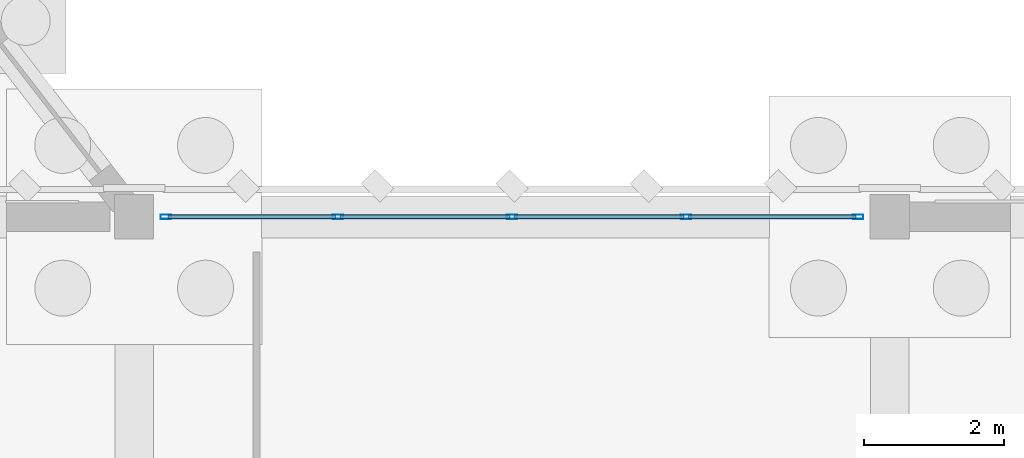
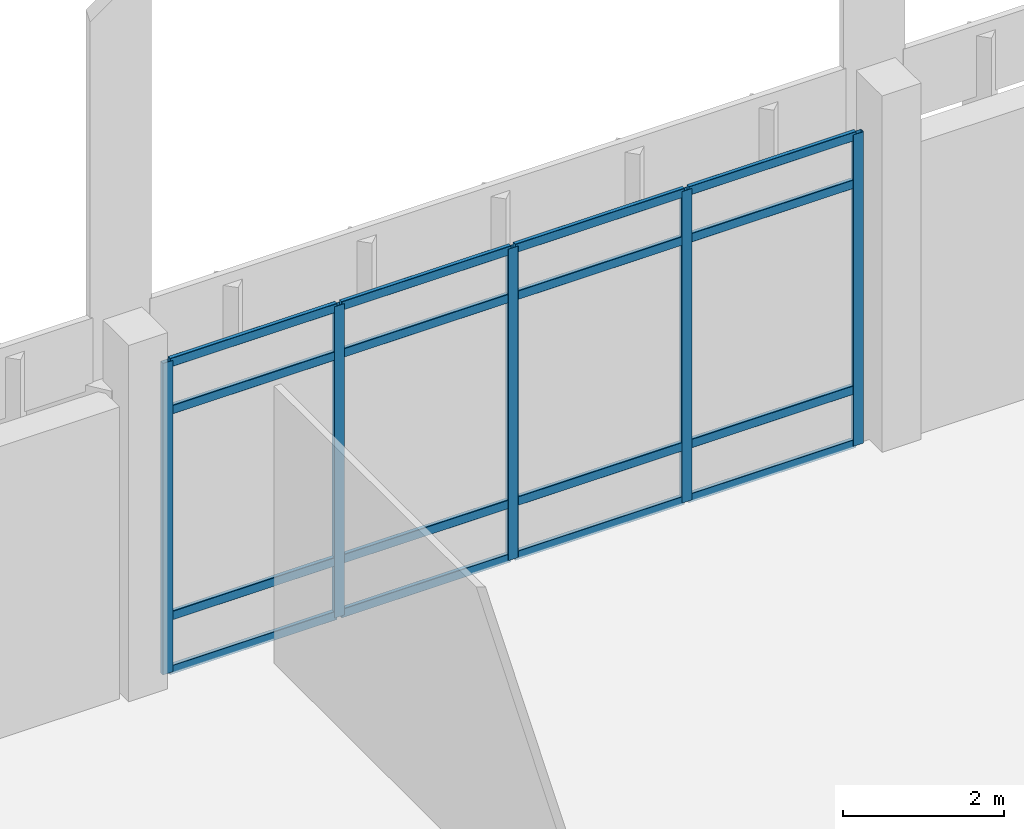
# One storey, part 48 of 109: 21 members, 1 element without a shape of its own.
"""IFC4 building model written with IfcOpenShell, lengths in metres."""

import ifcopenshell
import ifcopenshell.guid

model = None  # the IFC model being written
_history = None  # IfcOwnerHistory: only IFC2X3 demands one
_inside = {}  # id of a spatial element -> (the spatial element, [elements in it])
_under = {}  # id of a project, library or spatial element -> (it, [spatial elements below it])
_declared = {}  # id of a project -> (the project, [libraries it declares])
_typed = {}  # id of a type object -> (the type object, [elements of that type])
_made_of = {}  # id of a material, layer set ... -> (it, [elements and type objects made of it])


def new_model(schema):
    """Start an empty IFC model of exactly this schema.

    Asked for "IFC4X3", IfcOpenShell would pick the latest addendum, in which some entities
    have other attributes; the version numbers below select the first issue.
    IFC2X3 requires an IfcOwnerHistory on every rooted entity: one is made here for all.
    """
    global model, _history
    if schema == "IFC4X3":
        model = ifcopenshell.file(schema_version=(4, 3, 0, 0))
    else:
        model = ifcopenshell.file(schema=schema)
    _inside.clear()
    _under.clear()
    _declared.clear()
    _typed.clear()
    _made_of.clear()
    _history = None
    if model.schema == "IFC2X3":
        org = make("IfcOrganization", Name="unknown")
        user = make(
            "IfcPersonAndOrganization",
            ThePerson=make("IfcPerson", FamilyName="unknown"),
            TheOrganization=org,
        )
        app = make(
            "IfcApplication",
            ApplicationDeveloper=org,
            Version="unknown",
            ApplicationFullName="unknown",
            ApplicationIdentifier="unknown",
        )
        _history = make(
            "IfcOwnerHistory",
            OwningUser=user,
            OwningApplication=app,
            ChangeAction="ADDED",
            CreationDate=0,
        )
    return model


def make(cls, **values):
    """One entity of the class cls with the attributes given. An attribute that is None is left unset."""
    return model.create_entity(
        cls, **{name: value for name, value in values.items() if value is not None}
    )


def rooted(cls, **values):
    """An entity with a GlobalId (a new one), such as an element, a storey or a relation."""
    return make(cls, GlobalId=ifcopenshell.guid.new(), OwnerHistory=_history, **values)


def si_unit(unit_type, name, prefix=None):
    """IfcSIUnit, for example si_unit("LENGTHUNIT", "METRE", prefix="MILLI")."""
    return make("IfcSIUnit", UnitType=unit_type, Prefix=prefix, Name=name)


def assignment(units):
    """IfcUnitAssignment: the units of a project."""
    return None if units is None else make("IfcUnitAssignment", Units=units)


def point(xyz):
    """IfcCartesianPoint."""
    return None if xyz is None else make("IfcCartesianPoint", Coordinates=xyz)


def direction(xyz):
    """IfcDirection."""
    return None if xyz is None else make("IfcDirection", DirectionRatios=xyz)


def frame(location, z_axis=None, x_axis=None):
    """IfcAxis2Placement3D, a coordinate frame: its origin and axes. An axis left out is left unset."""
    return make(
        "IfcAxis2Placement3D",
        Location=point(location),
        Axis=direction(z_axis),
        RefDirection=direction(x_axis),
    )


def frame_2d(location, x_axis=None):
    """IfcAxis2Placement2D, a coordinate frame in the plane: its origin and x axis."""
    return make(
        "IfcAxis2Placement2D", Location=point(location), RefDirection=direction(x_axis)
    )


def origin():
    """The frame at (0, 0, 0) with its axes left unset."""
    return frame((0.0, 0.0, 0.0))


def origin_2d():
    """The frame at (0, 0) in the plane with its x axis left unset."""
    return frame_2d((0.0, 0.0))


def place(relative_to, where):
    """IfcLocalPlacement: puts the frame where relative to a parent placement (None: the world)."""
    return make(
        "IfcLocalPlacement", PlacementRelTo=relative_to, RelativePlacement=where
    )


def context(
    kind, dimensions, precision=None, world=None, true_north=None, identifier=None
):
    """IfcGeometricRepresentationContext, for example the 3D "Model" context."""
    return make(
        "IfcGeometricRepresentationContext",
        ContextIdentifier=identifier,
        ContextType=kind,
        CoordinateSpaceDimension=dimensions,
        Precision=precision,
        WorldCoordinateSystem=world,
        TrueNorth=true_north,
    )


def subcontext(parent, identifier, kind, view, scale=None):
    """IfcGeometricRepresentationSubContext, for example "Body" below "Model"."""
    return make(
        "IfcGeometricRepresentationSubContext",
        ContextIdentifier=identifier,
        ContextType=kind,
        ParentContext=parent,
        TargetScale=scale,
        TargetView=view,
    )


def project(units=None, contexts=None):
    """IfcProject with its units and contexts."""
    return rooted(
        "IfcProject",
        Name="project",
        RepresentationContexts=contexts,
        UnitsInContext=assignment(units),
    )


def spatial(cls, under=None, at=None, **own):
    """A site, building, storey or space (cls), placed at a placement, below another one or the project."""
    s = rooted(cls, ObjectPlacement=at, **own)
    if under is not None:
        _under.setdefault(under.id(), (under, []))[1].append(s)
    return s


def profile(cls, at=None, kind="AREA", **sizes):
    """A parametric profile (cls). Its sizes go by their IFC names, for example OverallWidth=200.0."""
    return make(cls, ProfileType=kind, Position=at, **sizes)


def hollow_rectangle(**sizes):
    """IfcRectangleHollowProfileDef."""
    return profile("IfcRectangleHollowProfileDef", **sizes)


def extrude(swept, where, along, depth):
    """IfcExtrudedAreaSolid: the profile swept, set in the frame where, extruded along a direction by depth."""
    return make(
        "IfcExtrudedAreaSolid",
        SweptArea=swept,
        Position=where,
        ExtrudedDirection=direction(along),
        Depth=depth,
    )


def shape(context_of_items, identifier, shape_type, items):
    """IfcShapeRepresentation: the items that make up one representation, for example the "Body"."""
    return make(
        "IfcShapeRepresentation",
        ContextOfItems=context_of_items,
        RepresentationIdentifier=identifier,
        RepresentationType=shape_type,
        Items=items,
    )


def material(Name=None, Category=None):
    """IfcMaterial."""
    return make("IfcMaterial", Name=Name, Category=Category)


def material_profile(
    of_material, cross_section, Name=None, Category=None, Priority=None
):
    """IfcMaterialProfile: a cross section and its material."""
    return make(
        "IfcMaterialProfile",
        Name=Name,
        Material=of_material,
        Profile=cross_section,
        Priority=Priority,
        Category=Category,
    )


def profile_set(profiles, Name=None, composite=None):
    """IfcMaterialProfileSet."""
    return make(
        "IfcMaterialProfileSet",
        Name=Name,
        MaterialProfiles=profiles,
        CompositeProfile=composite,
    )


def made_of(thing, what):
    """Note that an element or type object is made of a material, layer set ...; save() writes the relation."""
    if what is not None:
        _made_of.setdefault(what.id(), (what, []))[1].append(thing)
    return thing


def type_object(cls, material=None, **own):
    """A type object (cls), such as IfcWallType, which elements share."""
    return made_of(rooted(cls, **own), material)


def element(
    cls,
    number,
    at=None,
    inside=None,
    cuts=None,
    type_object=None,
    material=None,
    context=None,
    identifier="Body",
    shape_type=None,
    held_by="IfcProductDefinitionShape",
    body=None,
    shapes=None,
    **own,
):
    """One element of the class cls, such as IfcWall. Its Tag is "e" and its number.

    at: its placement. inside: the storey or other place that contains it. cuts: it is an
    opening in that element (IfcRelVoidsElement). A single representation is given by context,
    identifier, shape_type and body (its items); several are given by shapes. held_by: the class
    of the entity that holds the representations. save() writes the other relations.
    """
    e = rooted(cls, Tag="e%d" % number, ObjectPlacement=at, **own)
    if body is not None:
        shapes = [shape(context, identifier, shape_type, body)]
    if shapes is not None:
        e.Representation = make(held_by, Representations=shapes)
    if inside is not None:
        _inside.setdefault(inside.id(), (inside, []))[1].append(e)
    if cuts is not None:
        rooted(
            "IfcRelVoidsElement", RelatingBuildingElement=cuts, RelatedOpeningElement=e
        )
    if type_object is not None:
        _typed.setdefault(type_object.id(), (type_object, []))[1].append(e)
    return made_of(e, material)


def aggregate(whole, parts):
    """IfcRelAggregates: a whole, such as a stair, and the parts it consists of."""
    return rooted("IfcRelAggregates", RelatingObject=whole, RelatedObjects=parts)


def save(model, path):
    """Write the relations noted so far, then the file.

    IfcRelAggregates (storeys below a building ...), IfcRelContainedInSpatialStructure (elements
    in a storey), IfcRelDefinesByType, IfcRelAssociatesMaterial and IfcRelDeclares: one each for
    every whole, place, type object, material and project.
    """
    for whole, parts in _under.values():
        aggregate(whole, parts)
    for where, things in _inside.values():
        rooted(
            "IfcRelContainedInSpatialStructure",
            RelatedElements=things,
            RelatingStructure=where,
        )
    for kind, things in _typed.values():
        rooted("IfcRelDefinesByType", RelatedObjects=things, RelatingType=kind)
    for what, things in _made_of.values():
        rooted("IfcRelAssociatesMaterial", RelatedObjects=things, RelatingMaterial=what)
    for by, libraries in _declared.values():
        rooted("IfcRelDeclares", RelatingContext=by, RelatedDefinitions=libraries)
    model.write(path)


model = new_model("IFC4")

# Units and contexts
model_context = context("Model", 3, precision=1e-05, world=origin(), true_north=direction((0.0, 1.0)))
body_context = subcontext(model_context, "Body", "Model", "MODEL_VIEW")
ifc_project = project(units=[si_unit("LENGTHUNIT", "METRE"), si_unit("AREAUNIT", "SQUARE_METRE"), si_unit("VOLUMEUNIT", "CUBIC_METRE"), si_unit("PLANEANGLEUNIT", "RADIAN"), si_unit("MASSUNIT", "GRAM", prefix="KILO")], contexts=[model_context])

# Site, building, storey
site_placement = place(None, origin())
site = spatial("IfcSite", under=ifc_project, at=site_placement, CompositionType="ELEMENT")
building_placement = place(site_placement, origin())
building = spatial("IfcBuilding", under=site, at=building_placement, Name="Lusvemor Sports Hall", CompositionType="ELEMENT")
storey_placement = place(building_placement, origin())
storey = spatial("IfcBuildingStorey", under=building, at=storey_placement, Name="L00", CompositionType="ELEMENT", Elevation=0.0)

# Curtain wall, members
ifc_material_1 = material(Name="Thermally broken bronze-anodized aluminium", Category="aluminium")
curtain_wall_type = type_object("IfcCurtainWallType", Name="CW_WING_B", PredefinedType="NOTDEFINED", material=ifc_material_1)
curtain_wall_placement = place(storey_placement, origin())
curtain_wall = element("IfcCurtainWall", 1, at=curtain_wall_placement, inside=storey, type_object=curtain_wall_type, Name="Curtain Wall CW-L00-N-1-3", PredefinedType="NOTDEFINED")
ifc_material_2 = material(Name="Thermally broken bronze-anodized aluminium", Category="aluminium")
ifc_material_profile_1 = material_profile(ifc_material_2, hollow_rectangle(XDim=0.06494140625, YDim=0.14990234375, WallThickness=0.00390625, InnerFilletRadius=0.00390625, OuterFilletRadius=0.008056640625, at=origin_2d()), Name="CWMUL150x65x4")
ifc_profile_set_1 = profile_set([ifc_material_profile_1], Name="Thermally broken bronze-anodized aluminium")
member_type_1 = type_object("IfcMemberType", Name="CW_MUL_B", PredefinedType="MULLION", material=ifc_profile_set_1)
member_1_placement = place(storey_placement, frame((32.8525390625, 115.199951171875, 0.0), z_axis=(0.0, 0.0, 1.0), x_axis=(0.0, 1.0, 0.0)))
member_1 = element("IfcMember", 2, at=member_1_placement, type_object=member_type_1, Name="CW02 mullion 1", PredefinedType="MULLION", context=body_context, shape_type="SweptSolid", body=[
    extrude(hollow_rectangle(XDim=0.06494140625, YDim=0.14990234375, WallThickness=0.00390625, InnerFilletRadius=0.00390625, OuterFilletRadius=0.008056640625, at=origin_2d()), origin(), (0.0, 0.0, 1.0), 4.719970703125),
])
member_2_placement = place(storey_placement, frame((35.31005859375, 115.199951171875, 0.0), z_axis=(0.0, 0.0, 1.0), x_axis=(0.0, 1.0, 0.0)))
member_2 = element("IfcMember", 3, at=member_2_placement, type_object=member_type_1, Name="CW02 mullion 2", PredefinedType="MULLION", context=body_context, shape_type="SweptSolid", body=[
    extrude(hollow_rectangle(XDim=0.06494140625, YDim=0.14990234375, WallThickness=0.00390625, InnerFilletRadius=0.00390625, OuterFilletRadius=0.008056640625, at=origin_2d()), origin(), (0.0, 0.0, 1.0), 4.719970703125),
])
member_3_placement = place(storey_placement, frame((37.800048828125, 115.199951171875, 0.0), z_axis=(0.0, 0.0, 1.0), x_axis=(0.0, 1.0, 0.0)))
member_3 = element("IfcMember", 4, at=member_3_placement, type_object=member_type_1, Name="CW02 mullion 3", PredefinedType="MULLION", context=body_context, shape_type="SweptSolid", body=[
    extrude(hollow_rectangle(XDim=0.06494140625, YDim=0.14990234375, WallThickness=0.00390625, InnerFilletRadius=0.00390625, OuterFilletRadius=0.008056640625, at=origin_2d()), origin(), (0.0, 0.0, 1.0), 4.719970703125),
])
member_4_placement = place(storey_placement, frame((40.2900390625, 115.199951171875, 0.0), z_axis=(0.0, 0.0, 1.0), x_axis=(0.0, 1.0, 0.0)))
member_4 = element("IfcMember", 5, at=member_4_placement, type_object=member_type_1, Name="CW02 mullion 4", PredefinedType="MULLION", context=body_context, shape_type="SweptSolid", body=[
    extrude(hollow_rectangle(XDim=0.06494140625, YDim=0.14990234375, WallThickness=0.00390625, InnerFilletRadius=0.00390625, OuterFilletRadius=0.008056640625, at=origin_2d()), origin(), (0.0, 0.0, 1.0), 4.719970703125),
])
member_5_placement = place(storey_placement, frame((42.74755859375, 115.199951171875, 0.0), z_axis=(0.0, 0.0, 1.0), x_axis=(0.0, 1.0, 0.0)))
member_5 = element("IfcMember", 6, at=member_5_placement, type_object=member_type_1, Name="CW02 mullion 5", PredefinedType="MULLION", context=body_context, shape_type="SweptSolid", body=[
    extrude(hollow_rectangle(XDim=0.06494140625, YDim=0.14990234375, WallThickness=0.00390625, InnerFilletRadius=0.00390625, OuterFilletRadius=0.008056640625, at=origin_2d()), origin(), (0.0, 0.0, 1.0), 4.719970703125),
])
ifc_material_3 = material(Name="Thermally broken bronze-anodized aluminium", Category="aluminium")
ifc_material_profile_2 = material_profile(ifc_material_3, hollow_rectangle(XDim=0.06005859375, YDim=0.135009765625, WallThickness=0.00390625, InnerFilletRadius=0.00390625, OuterFilletRadius=0.008056640625, at=origin_2d()), Name="CWTRN135x60x4")
ifc_profile_set_2 = profile_set([ifc_material_profile_2], Name="Thermally broken bronze-anodized aluminium")
member_type_2 = type_object("IfcMemberType", Name="CW_TRN_B", PredefinedType="USERDEFINED", material=ifc_profile_set_2)
member_6_placement = place(storey_placement, frame((32.885009765625, 115.199951171875, 0.030029296875), z_axis=(1.0, 0.0, 0.0), x_axis=(0.0, 1.0, 0.0)))
member_6 = element("IfcMember", 7, at=member_6_placement, type_object=member_type_2, Name="CW02 transom 1.1", ObjectType="TRANSOM", PredefinedType="USERDEFINED", context=body_context, shape_type="SweptSolid", body=[
    extrude(hollow_rectangle(XDim=0.06005859375, YDim=0.135009765625, WallThickness=0.00390625, InnerFilletRadius=0.00390625, OuterFilletRadius=0.008056640625, at=origin_2d()), origin(), (0.0, 0.0, 1.0), 2.392578125),
])
member_7_placement = place(storey_placement, frame((32.885009765625, 115.199951171875, 0.85009765625), z_axis=(1.0, 0.0, 0.0), x_axis=(0.0, 1.0, 0.0)))
member_7 = element("IfcMember", 8, at=member_7_placement, type_object=member_type_2, Name="CW02 transom 1.2", ObjectType="TRANSOM", PredefinedType="USERDEFINED", context=body_context, shape_type="SweptSolid", body=[
    extrude(hollow_rectangle(XDim=0.06005859375, YDim=0.135009765625, WallThickness=0.00390625, InnerFilletRadius=0.00390625, OuterFilletRadius=0.008056640625, at=origin_2d()), origin(), (0.0, 0.0, 1.0), 2.392578125),
])
member_8_placement = place(storey_placement, frame((32.885009765625, 115.199951171875, 3.969970703125), z_axis=(1.0, 0.0, 0.0), x_axis=(0.0, 1.0, 0.0)))
member_8 = element("IfcMember", 9, at=member_8_placement, type_object=member_type_2, Name="CW02 transom 1.3", ObjectType="TRANSOM", PredefinedType="USERDEFINED", context=body_context, shape_type="SweptSolid", body=[
    extrude(hollow_rectangle(XDim=0.06005859375, YDim=0.135009765625, WallThickness=0.00390625, InnerFilletRadius=0.00390625, OuterFilletRadius=0.008056640625, at=origin_2d()), origin(), (0.0, 0.0, 1.0), 2.392578125),
])
member_9_placement = place(storey_placement, frame((32.885009765625, 115.199951171875, 4.68994140625), z_axis=(1.0, 0.0, 0.0), x_axis=(0.0, 1.0, 0.0)))
member_9 = element("IfcMember", 10, at=member_9_placement, type_object=member_type_2, Name="CW02 transom 1.4", ObjectType="TRANSOM", PredefinedType="USERDEFINED", context=body_context, shape_type="SweptSolid", body=[
    extrude(hollow_rectangle(XDim=0.06005859375, YDim=0.135009765625, WallThickness=0.00390625, InnerFilletRadius=0.00390625, OuterFilletRadius=0.008056640625, at=origin_2d()), origin(), (0.0, 0.0, 1.0), 2.392578125),
])
member_10_placement = place(storey_placement, frame((35.342529296875, 115.199951171875, 0.030029296875), z_axis=(1.0, 0.0, 0.0), x_axis=(0.0, 1.0, 0.0)))
member_10 = element("IfcMember", 11, at=member_10_placement, type_object=member_type_2, Name="CW02 transom 2.1", ObjectType="TRANSOM", PredefinedType="USERDEFINED", context=body_context, shape_type="SweptSolid", body=[
    extrude(hollow_rectangle(XDim=0.06005859375, YDim=0.135009765625, WallThickness=0.00390625, InnerFilletRadius=0.00390625, OuterFilletRadius=0.008056640625, at=origin_2d()), origin(), (0.0, 0.0, 1.0), 2.425048828125),
])
member_11_placement = place(storey_placement, frame((35.342529296875, 115.199951171875, 0.85009765625), z_axis=(1.0, 0.0, 0.0), x_axis=(0.0, 1.0, 0.0)))
member_11 = element("IfcMember", 12, at=member_11_placement, type_object=member_type_2, Name="CW02 transom 2.2", ObjectType="TRANSOM", PredefinedType="USERDEFINED", context=body_context, shape_type="SweptSolid", body=[
    extrude(hollow_rectangle(XDim=0.06005859375, YDim=0.135009765625, WallThickness=0.00390625, InnerFilletRadius=0.00390625, OuterFilletRadius=0.008056640625, at=origin_2d()), origin(), (0.0, 0.0, 1.0), 2.425048828125),
])
member_12_placement = place(storey_placement, frame((35.342529296875, 115.199951171875, 3.969970703125), z_axis=(1.0, 0.0, 0.0), x_axis=(0.0, 1.0, 0.0)))
member_12 = element("IfcMember", 13, at=member_12_placement, type_object=member_type_2, Name="CW02 transom 2.3", ObjectType="TRANSOM", PredefinedType="USERDEFINED", context=body_context, shape_type="SweptSolid", body=[
    extrude(hollow_rectangle(XDim=0.06005859375, YDim=0.135009765625, WallThickness=0.00390625, InnerFilletRadius=0.00390625, OuterFilletRadius=0.008056640625, at=origin_2d()), origin(), (0.0, 0.0, 1.0), 2.425048828125),
])
member_13_placement = place(storey_placement, frame((35.342529296875, 115.199951171875, 4.68994140625), z_axis=(1.0, 0.0, 0.0), x_axis=(0.0, 1.0, 0.0)))
member_13 = element("IfcMember", 14, at=member_13_placement, type_object=member_type_2, Name="CW02 transom 2.4", ObjectType="TRANSOM", PredefinedType="USERDEFINED", context=body_context, shape_type="SweptSolid", body=[
    extrude(hollow_rectangle(XDim=0.06005859375, YDim=0.135009765625, WallThickness=0.00390625, InnerFilletRadius=0.00390625, OuterFilletRadius=0.008056640625, at=origin_2d()), origin(), (0.0, 0.0, 1.0), 2.425048828125),
])
member_14_placement = place(storey_placement, frame((37.83251953125, 115.199951171875, 0.030029296875), z_axis=(1.0, 0.0, 0.0), x_axis=(0.0, 1.0, 0.0)))
member_14 = element("IfcMember", 15, at=member_14_placement, type_object=member_type_2, Name="CW02 transom 3.1", ObjectType="TRANSOM", PredefinedType="USERDEFINED", context=body_context, shape_type="SweptSolid", body=[
    extrude(hollow_rectangle(XDim=0.06005859375, YDim=0.135009765625, WallThickness=0.00390625, InnerFilletRadius=0.00390625, OuterFilletRadius=0.008056640625, at=origin_2d()), origin(), (0.0, 0.0, 1.0), 2.425048828125),
])
member_15_placement = place(storey_placement, frame((37.83251953125, 115.199951171875, 0.85009765625), z_axis=(1.0, 0.0, 0.0), x_axis=(0.0, 1.0, 0.0)))
member_15 = element("IfcMember", 16, at=member_15_placement, type_object=member_type_2, Name="CW02 transom 3.2", ObjectType="TRANSOM", PredefinedType="USERDEFINED", context=body_context, shape_type="SweptSolid", body=[
    extrude(hollow_rectangle(XDim=0.06005859375, YDim=0.135009765625, WallThickness=0.00390625, InnerFilletRadius=0.00390625, OuterFilletRadius=0.008056640625, at=origin_2d()), origin(), (0.0, 0.0, 1.0), 2.425048828125),
])
member_16_placement = place(storey_placement, frame((37.83251953125, 115.199951171875, 3.969970703125), z_axis=(1.0, 0.0, 0.0), x_axis=(0.0, 1.0, 0.0)))
member_16 = element("IfcMember", 17, at=member_16_placement, type_object=member_type_2, Name="CW02 transom 3.3", ObjectType="TRANSOM", PredefinedType="USERDEFINED", context=body_context, shape_type="SweptSolid", body=[
    extrude(hollow_rectangle(XDim=0.06005859375, YDim=0.135009765625, WallThickness=0.00390625, InnerFilletRadius=0.00390625, OuterFilletRadius=0.008056640625, at=origin_2d()), origin(), (0.0, 0.0, 1.0), 2.425048828125),
])
member_17_placement = place(storey_placement, frame((37.83251953125, 115.199951171875, 4.68994140625), z_axis=(1.0, 0.0, 0.0), x_axis=(0.0, 1.0, 0.0)))
member_17 = element("IfcMember", 18, at=member_17_placement, type_object=member_type_2, Name="CW02 transom 3.4", ObjectType="TRANSOM", PredefinedType="USERDEFINED", context=body_context, shape_type="SweptSolid", body=[
    extrude(hollow_rectangle(XDim=0.06005859375, YDim=0.135009765625, WallThickness=0.00390625, InnerFilletRadius=0.00390625, OuterFilletRadius=0.008056640625, at=origin_2d()), origin(), (0.0, 0.0, 1.0), 2.425048828125),
])
member_18_placement = place(storey_placement, frame((40.322509765625, 115.199951171875, 0.030029296875), z_axis=(1.0, 0.0, 0.0), x_axis=(0.0, 1.0, 0.0)))
member_18 = element("IfcMember", 19, at=member_18_placement, type_object=member_type_2, Name="CW02 transom 4.1", ObjectType="TRANSOM", PredefinedType="USERDEFINED", context=body_context, shape_type="SweptSolid", body=[
    extrude(hollow_rectangle(XDim=0.06005859375, YDim=0.135009765625, WallThickness=0.00390625, InnerFilletRadius=0.00390625, OuterFilletRadius=0.008056640625, at=origin_2d()), origin(), (0.0, 0.0, 1.0), 2.392578125),
])
member_19_placement = place(storey_placement, frame((40.322509765625, 115.199951171875, 0.85009765625), z_axis=(1.0, 0.0, 0.0), x_axis=(0.0, 1.0, 0.0)))
member_19 = element("IfcMember", 20, at=member_19_placement, type_object=member_type_2, Name="CW02 transom 4.2", ObjectType="TRANSOM", PredefinedType="USERDEFINED", context=body_context, shape_type="SweptSolid", body=[
    extrude(hollow_rectangle(XDim=0.06005859375, YDim=0.135009765625, WallThickness=0.00390625, InnerFilletRadius=0.00390625, OuterFilletRadius=0.008056640625, at=origin_2d()), origin(), (0.0, 0.0, 1.0), 2.392578125),
])
member_20_placement = place(storey_placement, frame((40.322509765625, 115.199951171875, 3.969970703125), z_axis=(1.0, 0.0, 0.0), x_axis=(0.0, 1.0, 0.0)))
member_20 = element("IfcMember", 21, at=member_20_placement, type_object=member_type_2, Name="CW02 transom 4.3", ObjectType="TRANSOM", PredefinedType="USERDEFINED", context=body_context, shape_type="SweptSolid", body=[
    extrude(hollow_rectangle(XDim=0.06005859375, YDim=0.135009765625, WallThickness=0.00390625, InnerFilletRadius=0.00390625, OuterFilletRadius=0.008056640625, at=origin_2d()), origin(), (0.0, 0.0, 1.0), 2.392578125),
])
member_21_placement = place(storey_placement, frame((40.322509765625, 115.199951171875, 4.68994140625), z_axis=(1.0, 0.0, 0.0), x_axis=(0.0, 1.0, 0.0)))
member_21 = element("IfcMember", 22, at=member_21_placement, type_object=member_type_2, Name="CW02 transom 4.4", ObjectType="TRANSOM", PredefinedType="USERDEFINED", context=body_context, shape_type="SweptSolid", body=[
    extrude(hollow_rectangle(XDim=0.06005859375, YDim=0.135009765625, WallThickness=0.00390625, InnerFilletRadius=0.00390625, OuterFilletRadius=0.008056640625, at=origin_2d()), origin(), (0.0, 0.0, 1.0), 2.392578125),
])
aggregate(curtain_wall, [member_1, member_2, member_3, member_4, member_5, member_6, member_7, member_8, member_9, member_10, member_11, member_12, member_13, member_14, member_15, member_16, member_17, member_18, member_19, member_20, member_21])

save(model, "model.ifc")
